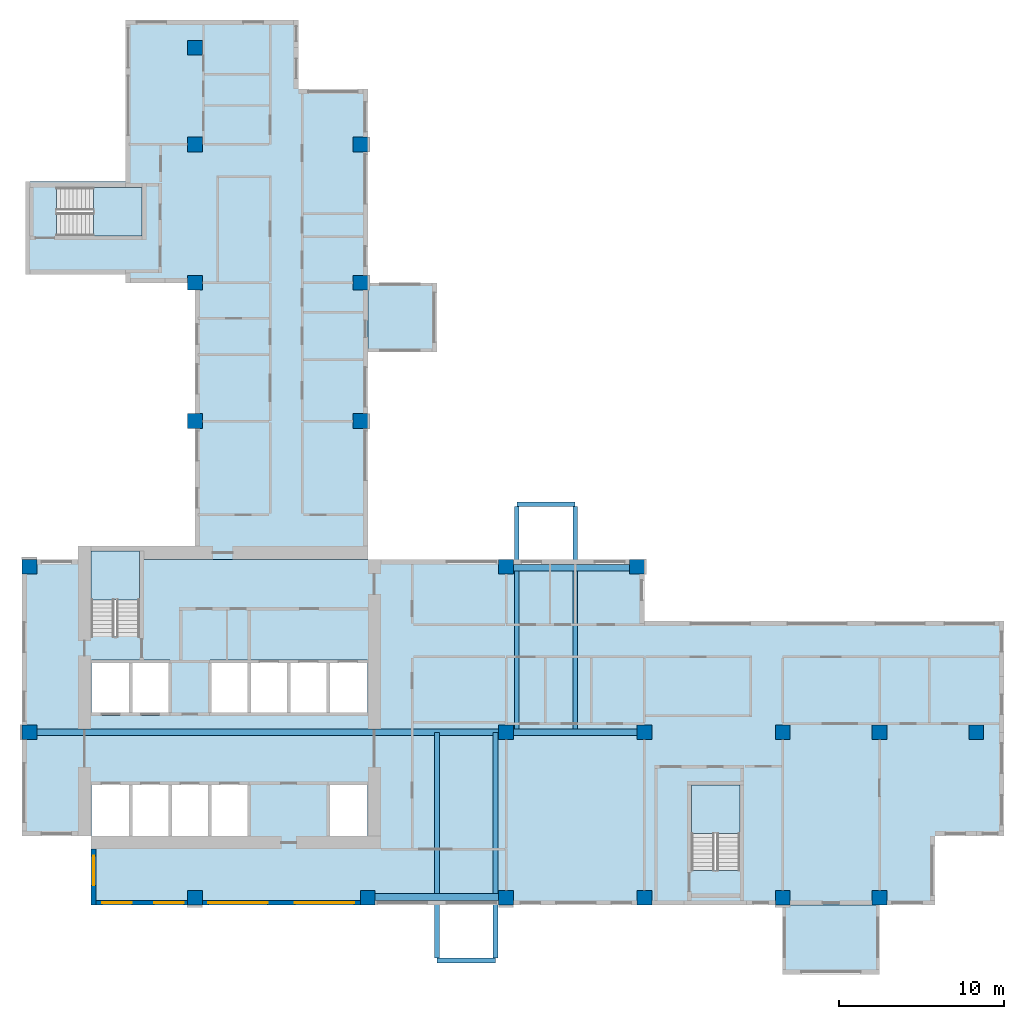
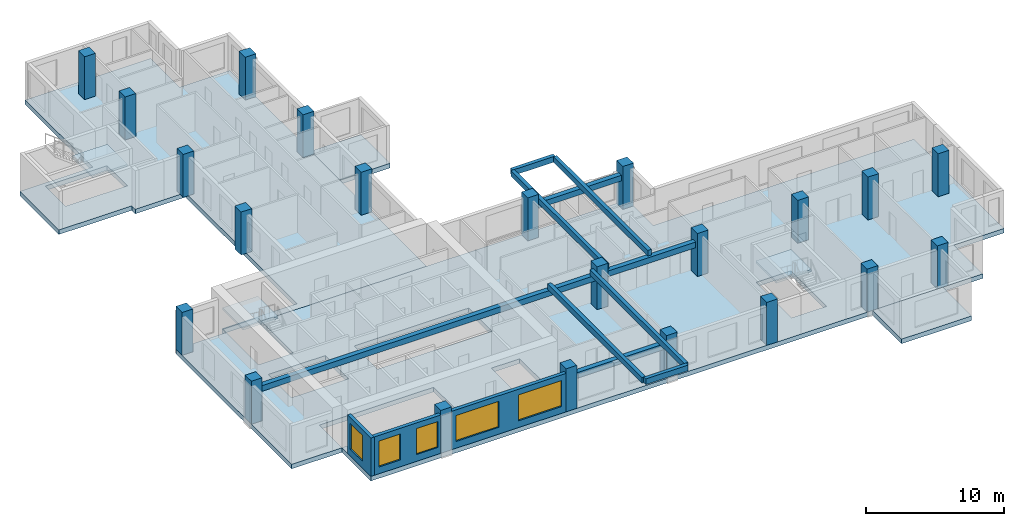
# One storey, part 1 of 12: 22 columns, 10 beams, 7 slabs, 5 windows, 3 walls, 5 openings, 3 elements without a shape of their own.
"""IFC4 building model written with IfcOpenShell, lengths in metres."""

from ifc_helpers import new_model, si_unit, direction, frame, frame_2d, origin, origin_2d, place, context, subcontext, project, spatial, polyline, rectangle, outline, extrude, source, transform, mapped, material, layer, layer_set, material_profile, profile_set, type_object, element, fill, aggregate, save


model = new_model("IFC4")

# Units and contexts
model_context = context("Model", 3, precision=1e-05, world=origin(), true_north=direction((0.0, 1.0)))
body_context = subcontext(model_context, "Body", "Model", "MODEL_VIEW")
ifc_project = project(units=[si_unit("LENGTHUNIT", "METRE"), si_unit("AREAUNIT", "SQUARE_METRE"), si_unit("VOLUMEUNIT", "CUBIC_METRE"), si_unit("PLANEANGLEUNIT", "RADIAN"), si_unit("MASSUNIT", "GRAM", prefix="KILO")], contexts=[model_context])

# Site, building, storey
site_placement = place(None, origin())
site = spatial("IfcSite", under=ifc_project, at=site_placement, CompositionType="ELEMENT")
building_placement = place(site_placement, origin())
building = spatial("IfcBuilding", under=site, at=building_placement, Name="Aurelian Terraces", CompositionType="ELEMENT")
storey_placement = place(building_placement, frame((0.0, 0.0, 189.2)))
storey = spatial("IfcBuildingStorey", under=building, at=storey_placement, Name="L41", CompositionType="ELEMENT", Elevation=189.2)

# Columns
ifc_material_1 = material(Name="Concrete fc' 70 MPa", Category="concrete")
ifc_material_profile_1 = material_profile(ifc_material_1, rectangle(XDim=0.9, YDim=0.9, at=origin_2d()))
ifc_profile_set_1 = profile_set([ifc_material_profile_1], Name="Concrete fc' 70 MPa")
column_type = type_object("IfcColumnType", Name="RC COLUMN 900X900 FC70", PredefinedType="COLUMN", material=ifc_profile_set_1)
shared_shape_1 = source(origin(), body_context, "Body", "SweptSolid", [
    extrude(rectangle(XDim=0.9, YDim=0.9, at=origin_2d()), origin(), (0.0, 0.0, 1.0), 3.8),
])
for number, where, z_axis, x_axis, name in (
    (1, (10.5, 0.45, 0.0), (0.0, 0.0, 1.0), (1.0, 0.0, 0.0), "Column 2/A L41"),
    (2, (21.0, 0.45, 0.0), (0.0, 0.0, 1.0), (1.0, 0.0, 0.0), "Column 3/A L41"),
    (3, (29.4, 0.45, 0.0), (0.0, 0.0, 1.0), (1.0, 0.0, 0.0), "Column 4/A L41"),
    (4, (37.8, 0.45, 0.0), (0.0, 0.0, 1.0), (1.0, 0.0, 0.0), "Column 5/A L41"),
    (5, (46.2, 0.45, 0.0), (0.0, 0.0, 1.0), (1.0, 0.0, 0.0), "Column 6/A L41"),
    (6, (52.08, 0.45, 0.0), (0.0, 0.0, 1.0), (1.0, 0.0, 0.0), "Column 7/A L41"),
    (7, (0.45, 10.5, 0.0), (0.0, 0.0, 1.0), (1.0, 0.0, 0.0), "Column 1/B L41"),
    (8, (29.4, 10.5, 0.0), (0.0, 0.0, 1.0), (1.0, 0.0, 0.0), "Column 4/B L41"),
    (9, (37.8, 10.5, 0.0), (0.0, 0.0, 1.0), (1.0, 0.0, 0.0), "Column 5/B L41"),
    (10, (46.2, 10.5, 0.0), (0.0, 0.0, 1.0), (1.0, 0.0, 0.0), "Column 6/B L41"),
    (11, (52.08, 10.5, 0.0), (0.0, 0.0, 1.0), (1.0, 0.0, 0.0), "Column 7/B L41"),
    (12, (57.96, 10.5, 0.0), (0.0, 0.0, 1.0), (1.0, 0.0, 0.0), "Column 8/B L41"),
    (13, (0.45, 20.55, 0.0), (0.0, 0.0, 1.0), (1.0, 0.0, 0.0), "Column 1/C L41"),
    (14, (29.4, 20.55, 0.0), (0.0, 0.0, 1.0), (1.0, 0.0, 0.0), "Column 4/C L41"),
    (15, (37.35, 20.55, 0.0), (0.0, 0.0, 1.0), (1.0, 0.0, 0.0), "Column 5/C L41"),
    (16, (10.5, 29.4, 0.0), (0.0, 0.0, 1.0), (1.0, 0.0, 0.0), "Column 2/D L41"),
    (17, (20.55, 29.4, 0.0), (0.0, 0.0, 1.0), (1.0, 0.0, 0.0), "Column 3/D L41"),
    (18, (10.5, 37.8, 0.0), (0.0, 0.0, 1.0), (1.0, 0.0, 0.0), "Column 2/E L41"),
    (19, (20.55, 37.8, 0.0), (0.0, 0.0, 1.0), (1.0, 0.0, 0.0), "Column 3/E L41"),
    (20, (10.5, 46.2, 0.0), (0.0, 0.0, 1.0), (1.0, 0.0, 0.0), "Column 2/F L41"),
    (21, (20.55, 46.2, 0.0), (0.0, 0.0, 1.0), (1.0, 0.0, 0.0), "Column 3/F L41"),
    (22, (10.5, 52.08, 0.0), (0.0, 0.0, 1.0), (1.0, 0.0, 0.0), "Column 2/G L41"),
):
    element("IfcColumn", number, at=place(storey_placement, frame(where, z_axis=z_axis, x_axis=x_axis)), inside=storey, type_object=column_type, Name=name, PredefinedType="COLUMN", context=body_context, shape_type="MappedRepresentation", body=[
        mapped(shared_shape_1, transform((0.0, 0.0, 0.0), scale=1.0)),
    ])

# Beams
ifc_material_2 = material(Name="Concrete fc' 40 MPa", Category="concrete")
ifc_material_profile_2 = material_profile(ifc_material_2, rectangle(XDim=0.4, YDim=0.5, at=origin_2d()))
ifc_profile_set_2 = profile_set([ifc_material_profile_2], Name="Concrete fc' 40 MPa")
beam_type_1 = type_object("IfcBeamType", Name="CONCRETE EDGE GIRDER 400X500", PredefinedType="BEAM", material=ifc_profile_set_2)
beam_1_placement = place(storey_placement, frame((29.85, 20.5, 2.65), z_axis=(1.0, 0.0, 0.0), x_axis=(0.0, 1.0, 0.0)))
element("IfcBeam", 23, at=beam_1_placement, inside=storey, type_object=beam_type_1, Name="Box girder L41 O120", PredefinedType="BEAM", context=body_context, shape_type="SweptSolid", body=[
    extrude(rectangle(XDim=0.4, YDim=0.5, at=origin_2d()), origin(), (0.0, 0.0, 1.0), 7.05),
])
ifc_material_profile_3 = material_profile(ifc_material_2, rectangle(XDim=0.3, YDim=0.5, at=origin_2d()))
ifc_profile_set_3 = profile_set([ifc_material_profile_3], Name="Concrete fc' 40 MPa")
beam_type_2 = type_object("IfcBeamType", Name="CONCRETE CANTILEVER BEAM 300X500", PredefinedType="BEAM", material=ifc_profile_set_3)
shared_shape_2 = source(origin(), body_context, "Body", "SweptSolid", [
    extrude(rectangle(XDim=0.3, YDim=0.5, at=origin_2d()), origin(), (0.0, 0.0, 1.0), 13.7),
])
for number, where, z_axis, x_axis, name in (
    (24, (25.2, -3.2, 3.15), (0.0, 1.0, 0.0), (-1.0, 0.0, 0.0), "Box cantilever beam J58.1"),
    (25, (28.75, -3.2, 3.15), (0.0, 1.0, 0.0), (-1.0, 0.0, 0.0), "Box cantilever beam J58.2"),
    (26, (30.05, 24.2, 3.15), (0.0, -1.0, 0.0), (1.0, 0.0, 0.0), "Box cantilever beam J59.1"),
    (27, (33.6, 24.2, 3.15), (0.0, -1.0, 0.0), (1.0, 0.0, 0.0), "Box cantilever beam J59.2"),
):
    element("IfcBeam", number, at=place(storey_placement, frame(where, z_axis=z_axis, x_axis=x_axis)), inside=storey, type_object=beam_type_2, Name=name, PredefinedType="BEAM", context=body_context, shape_type="MappedRepresentation", body=[
        mapped(shared_shape_2, transform((0.0, 0.0, 0.0), scale=1.0)),
    ])
shared_shape_3 = source(origin(), body_context, "Body", "SweptSolid", [
    extrude(rectangle(XDim=0.4, YDim=0.5, at=origin_2d()), origin(), (0.0, 0.0, 1.0), 7.5),
])
for number, where, z_axis, x_axis, name in (
    (28, (21.45, 0.5, 2.65), (1.0, 0.0, 0.0), (0.0, 1.0, 0.0), "Box girder L41 O118"),
    (29, (29.85, 10.5, 2.65), (1.0, 0.0, 0.0), (0.0, 1.0, 0.0), "Box girder L41 I121"),
):
    element("IfcBeam", number, at=place(storey_placement, frame(where, z_axis=z_axis, x_axis=x_axis)), inside=storey, type_object=beam_type_1, Name=name, PredefinedType="BEAM", context=body_context, shape_type="MappedRepresentation", body=[
        mapped(shared_shape_3, transform((0.0, 0.0, 0.0), scale=1.0)),
    ])
shared_shape_4 = source(origin(), body_context, "Body", "SweptSolid", [
    extrude(rectangle(XDim=0.3, YDim=0.5, at=origin_2d()), origin(), (0.0, 0.0, 1.0), 3.55),
])
for number, where, z_axis, x_axis, name in (
    (30, (25.2, -3.35, 3.15), (1.0, 0.0, 0.0), (0.0, 1.0, 0.0), "Box tip beam J58"),
    (31, (30.05, 24.35, 3.15), (1.0, 0.0, 0.0), (0.0, 1.0, 0.0), "Box tip beam J59"),
):
    element("IfcBeam", number, at=place(storey_placement, frame(where, z_axis=z_axis, x_axis=x_axis)), inside=storey, type_object=beam_type_2, Name=name, PredefinedType="BEAM", context=body_context, shape_type="MappedRepresentation", body=[
        mapped(shared_shape_4, transform((0.0, 0.0, 0.0), scale=1.0)),
    ])
shared_shape_5 = source(origin(), body_context, "Body", "SweptSolid", [
    extrude(rectangle(XDim=0.4, YDim=0.5, at=origin_2d()), origin(), (0.0, 0.0, 1.0), 28.05),
])
beam_2_placement = place(storey_placement, frame((0.9, 10.5, 2.65), z_axis=(1.0, 0.0, 0.0), x_axis=(0.0, 1.0, 0.0)))
element("IfcBeam", 32, at=beam_2_placement, inside=storey, type_object=beam_type_1, Name="Box girder L41 I119", PredefinedType="BEAM", context=body_context, shape_type="MappedRepresentation", body=[
    mapped(shared_shape_5, transform((0.0, 0.0, 0.0), scale=1.0)),
])

# Slabs
ifc_layer_1 = layer(ifc_material_2, 0.4)
ifc_layer_set_1 = layer_set([ifc_layer_1], Name="PT FLAT PLATE 400")
slab_type_1 = type_object("IfcSlabType", Name="PT FLAT PLATE 400", PredefinedType="FLOOR", material=ifc_layer_set_1)
shared_shape_6 = source(origin(), body_context, "Body", "SweptSolid", [
    extrude(outline(polyline([(6.3, 43.95), (6.3, 49.56), (6.3, 53.76), (10.5, 53.76), (16.8, 53.76), (16.8, 49.56), (21.0, 49.56), (21.0, 21.0), (7.14, 21.0), (7.14, 21.49), (4.21, 21.49), (4.21, 21.0), (4.2, 21.0), (4.2, 21.6), (6.3, 21.6), (10.5, 21.6), (10.5, 37.8), (6.3, 37.8), (6.3, 38.3), (0.2, 38.3), (0.2, 43.95), (6.3, 43.95)]), holes=[polyline([(7.29, 43.59), (2.11, 43.59), (2.11, 40.66), (7.29, 40.66), (7.29, 43.59)])]), origin(), (0.0, 0.0, 1.0), 0.4),
])
slab_1_placement = place(storey_placement, frame((0.0, 0.0, -0.4)))
element("IfcSlab", 33, at=slab_1_placement, inside=storey, type_object=slab_type_1, Name="Floor slab W L41", PredefinedType="FLOOR", context=body_context, shape_type="MappedRepresentation", body=[
    mapped(shared_shape_6, transform((0.0, 0.0, 0.0), scale=1.0)),
])
shared_shape_7 = source(origin(), body_context, "Body", "SweptSolid", [
    extrude(outline(polyline([(59.64, 4.2), (55.44, 4.2), (55.44, 0.0), (21.0, 0.0), (4.2, 0.0), (4.2, 4.2), (0.0, 4.2), (0.0, 21.0), (4.21, 21.0), (4.21, 16.31), (7.14, 16.31), (7.14, 21.0), (21.0, 21.0), (37.8, 21.0), (37.8, 17.25), (55.44, 17.25), (59.64, 17.25), (59.64, 16.8), (59.64, 16.65), (59.64, 4.2)]), holes=[polyline([(40.66, 2.11), (43.59, 2.11), (43.59, 7.29), (40.66, 7.29), (40.66, 2.11)]), polyline([(18.61, 7.49), (18.61, 4.21), (20.99, 4.21), (20.99, 7.49), (18.61, 7.49)]), polyline([(20.99, 14.89), (11.41, 14.89), (11.41, 11.51), (20.99, 11.51), (20.99, 14.89)]), polyline([(4.21, 7.49), (4.21, 4.21), (13.79, 4.21), (13.79, 7.49), (4.21, 7.49)]), polyline([(4.21, 14.89), (4.21, 11.51), (8.99, 11.51), (8.99, 14.89), (4.21, 14.89)])]), origin(), (0.0, 0.0, 1.0), 0.4),
])
slab_2_placement = place(storey_placement, frame((0.0, 0.0, -0.4)))
element("IfcSlab", 34, at=slab_2_placement, inside=storey, type_object=slab_type_1, Name="Floor slab S L41", PredefinedType="FLOOR", context=body_context, shape_type="MappedRepresentation", body=[
    mapped(shared_shape_7, transform((0.0, 0.0, 0.0), scale=1.0)),
])
ifc_layer_2 = layer(ifc_material_2, 0.41)
ifc_layer_set_2 = layer_set([ifc_layer_2], Name="Box floor 410")
slab_type_2 = type_object("IfcSlabType", Name="Box floor 410", PredefinedType="NOTDEFINED", material=ifc_layer_set_2)
shared_shape_8 = source(origin(), body_context, "Body", "SweptSolid", [
    extrude(outline(polyline([(46.2, -4.2), (52.08, -4.2), (52.08, 0.0), (46.2, 0.0), (46.2, -4.2)])), origin(), (0.0, 0.0, 1.0), 0.41),
])
slab_3_placement = place(storey_placement, frame((0.0, 0.0, -0.41)))
element("IfcSlab", 35, at=slab_3_placement, inside=storey, type_object=slab_type_2, Name="Box floor L41 J56", PredefinedType="NOTDEFINED", context=body_context, shape_type="MappedRepresentation", body=[
    mapped(shared_shape_8, transform((0.0, 0.0, 0.0), scale=1.0)),
])
shared_shape_9 = source(origin(), body_context, "Body", "SweptSolid", [
    extrude(outline(polyline([(25.2, 33.6), (25.2, 37.8), (21.0, 37.8), (21.0, 33.6), (25.2, 33.6)])), origin(), (0.0, 0.0, 1.0), 0.41),
])
slab_4_placement = place(storey_placement, frame((0.0, 0.0, -0.41)))
element("IfcSlab", 36, at=slab_4_placement, inside=storey, type_object=slab_type_2, Name="Box floor L41 J57", PredefinedType="NOTDEFINED", context=body_context, shape_type="MappedRepresentation", body=[
    mapped(shared_shape_9, transform((0.0, 0.0, 0.0), scale=1.0)),
])

# Stair, slab
stair_type = type_object("IfcStairType", Name="Stair 1400", PredefinedType="HALF_TURN_STAIR", material=ifc_material_2)
stair_1_placement = place(storey_placement, origin())
stair_1 = element("IfcStair", 37, at=stair_1_placement, inside=storey, type_object=stair_type, Name="L41 S1", PredefinedType="HALF_TURN_STAIR")
ifc_layer_3 = layer(ifc_material_2, 0.2)
ifc_layer_set_3 = layer_set([ifc_layer_3], Name="Stair landing 200")
slab_type_3 = type_object("IfcSlabType", Name="Stair landing 200", PredefinedType="LANDING", material=ifc_layer_set_3)
shared_shape_10 = source(origin(), body_context, "Body", "SweptSolid", [
    extrude(outline(polyline([(7.15, 18.55), (7.15, 21.5), (4.2, 21.5), (4.2, 18.55), (7.15, 18.55)])), origin(), (0.0, 0.0, 1.0), 0.2),
])
slab_5_placement = place(storey_placement, frame((0.0, 0.0, 1.7)))
slab_5 = element("IfcSlab", 38, at=slab_5_placement, type_object=slab_type_3, Name="S1 landing 1", PredefinedType="LANDING", context=body_context, shape_type="MappedRepresentation", body=[
    mapped(shared_shape_10, transform((0.0, 0.0, 0.0), scale=1.0)),
])
aggregate(stair_1, [slab_5])

stair_2_placement = place(storey_placement, origin())
stair_2 = element("IfcStair", 39, at=stair_2_placement, inside=storey, type_object=stair_type, Name="L41 S2", PredefinedType="HALF_TURN_STAIR")
shared_shape_11 = source(origin(), body_context, "Body", "SweptSolid", [
    extrude(outline(polyline([(43.6, 4.35), (43.6, 7.3), (40.65, 7.3), (40.65, 4.35), (43.6, 4.35)])), origin(), (0.0, 0.0, 1.0), 0.2),
])
slab_6_placement = place(storey_placement, frame((0.0, 0.0, 1.7)))
slab_6 = element("IfcSlab", 40, at=slab_6_placement, type_object=slab_type_3, Name="S2 landing 1", PredefinedType="LANDING", context=body_context, shape_type="MappedRepresentation", body=[
    mapped(shared_shape_11, transform((0.0, 0.0, 0.0), scale=1.0)),
])
aggregate(stair_2, [slab_6])

stair_3_placement = place(storey_placement, origin())
stair_3 = element("IfcStair", 41, at=stair_3_placement, inside=storey, type_object=stair_type, Name="L41 S3", PredefinedType="HALF_TURN_STAIR")
shared_shape_12 = source(origin(), body_context, "Body", "SweptSolid", [
    extrude(outline(polyline([(4.35, 40.65), (7.3, 40.65), (7.3, 43.6), (4.35, 43.6), (4.35, 40.65)])), origin(), (0.0, 0.0, 1.0), 0.2),
])
slab_7_placement = place(storey_placement, frame((0.0, 0.0, 1.7)))
slab_7 = element("IfcSlab", 42, at=slab_7_placement, type_object=slab_type_3, Name="S3 landing 1", PredefinedType="LANDING", context=body_context, shape_type="MappedRepresentation", body=[
    mapped(shared_shape_12, transform((0.0, 0.0, 0.0), scale=1.0)),
])
aggregate(stair_3, [slab_7])

# Wall, opening, window
ifc_material_3 = material(Name="Terracotta rainscreen cladding", Category="masonry")
ifc_layer_4 = layer(ifc_material_3, 0.3)
ifc_layer_set_4 = layer_set([ifc_layer_4], Name="EW-300")
wall_type = type_object("IfcWallType", Name="EW-300", PredefinedType="STANDARD", material=ifc_layer_set_4)
shared_shape_13 = source(origin(), body_context, "Body", "SweptSolid", [
    extrude(rectangle(XDim=3.4, YDim=0.3, at=frame_2d((1.7, 0.0))), origin(), (0.0, 0.0, 1.0), 3.4),
])
wall_1_placement = place(storey_placement, frame((4.35, 3.4, 0.0), z_axis=(0.0, 0.0, 1.0), x_axis=(0.0, -1.0, 0.0)))
wall_1 = element("IfcWall", 43, at=wall_1_placement, inside=storey, type_object=wall_type, Name="External wall L41 F24.38", PredefinedType="STANDARD", context=body_context, shape_type="MappedRepresentation", body=[
    mapped(shared_shape_13, transform((0.0, 0.0, 0.0), scale=1.0)),
])
shared_shape_14 = source(origin(), body_context, "Body", "SweptSolid", [
    extrude(rectangle(XDim=1.8, YDim=2.3, at=frame_2d((0.9, 1.15))), frame((0.0, 0.16, 0.0), z_axis=(0.0, -1.0, 0.0), x_axis=(1.0, 0.0, 0.0)), (0.0, 0.0, 1.0), 0.32),
])
opening_1_placement = place(wall_1_placement, frame((0.4, 0.0, 0.6)))
opening_1 = element("IfcOpeningElement", 44, at=opening_1_placement, cuts=wall_1, Name="Opening W1823", PredefinedType="OPENING", context=body_context, shape_type="MappedRepresentation", body=[
    mapped(shared_shape_14, transform((0.0, 0.0, 0.0), scale=1.0)),
])
ifc_material_4 = material(Name="Clear glazing", Category="glass")
window_type_1 = type_object("IfcWindowType", Name="W-1800x2300", PartitioningType="SINGLE_PANEL", PredefinedType="WINDOW", material=ifc_material_4)
shared_shape_15 = source(origin(), body_context, "Body", "SweptSolid", [
    extrude(rectangle(XDim=1.8, YDim=2.3, at=frame_2d((0.9, 1.15))), frame((0.0, 0.03, 0.0), z_axis=(0.0, -1.0, 0.0), x_axis=(1.0, 0.0, 0.0)), (0.0, 0.0, 1.0), 0.06),
])
window_1_placement = place(opening_1_placement, origin())
window_1 = element("IfcWindow", 45, at=window_1_placement, inside=storey, type_object=window_type_1, Name="Window L41 L41-F24-38-0", OverallHeight=2.3, OverallWidth=1.8, PartitioningType="SINGLE_PANEL", PredefinedType="WINDOW", context=body_context, shape_type="MappedRepresentation", body=[
    mapped(shared_shape_15, transform((0.0, 0.0, 0.0), scale=1.0)),
])
fill(opening_1, window_1)

# Wall, openings, windows
shared_shape_16 = source(origin(), body_context, "Body", "SweptSolid", [
    extrude(rectangle(XDim=5.85, YDim=0.3, at=frame_2d((2.925, 0.0))), origin(), (0.0, 0.0, 1.0), 3.4),
])
wall_2_placement = place(storey_placement, frame((4.2, 0.15, 0.0), z_axis=(0.0, 0.0, 1.0), x_axis=(1.0, 0.0, 0.0)))
wall_2 = element("IfcWall", 46, at=wall_2_placement, inside=storey, type_object=wall_type, Name="External wall L41 F01.1", PredefinedType="STANDARD", context=body_context, shape_type="MappedRepresentation", body=[
    mapped(shared_shape_16, transform((0.0, 0.0, 0.0), scale=1.0)),
])
opening_2_placement = place(wall_2_placement, frame((0.675, 0.0, 0.6)))
opening_2 = element("IfcOpeningElement", 47, at=opening_2_placement, cuts=wall_2, Name="Opening W1823", PredefinedType="OPENING", context=body_context, shape_type="MappedRepresentation", body=[
    mapped(shared_shape_14, transform((0.0, 0.0, 0.0), scale=1.0)),
])
opening_3_placement = place(wall_2_placement, frame((3.825, 0.0, 0.6)))
opening_3 = element("IfcOpeningElement", 48, at=opening_3_placement, cuts=wall_2, Name="Opening W1823", PredefinedType="OPENING", context=body_context, shape_type="MappedRepresentation", body=[
    mapped(shared_shape_14, transform((0.0, 0.0, 0.0), scale=1.0)),
])
window_2_placement = place(opening_2_placement, origin())
window_2 = element("IfcWindow", 49, at=window_2_placement, inside=storey, type_object=window_type_1, Name="Window L41 L41-F01-01-0", OverallHeight=2.3, OverallWidth=1.8, PartitioningType="SINGLE_PANEL", PredefinedType="WINDOW", context=body_context, shape_type="MappedRepresentation", body=[
    mapped(shared_shape_15, transform((0.0, 0.0, 0.0), scale=1.0)),
])
fill(opening_2, window_2)
window_3_placement = place(opening_3_placement, origin())
window_3 = element("IfcWindow", 50, at=window_3_placement, inside=storey, type_object=window_type_1, Name="Window L41 L41-F01-01-1", OverallHeight=2.3, OverallWidth=1.8, PartitioningType="SINGLE_PANEL", PredefinedType="WINDOW", context=body_context, shape_type="MappedRepresentation", body=[
    mapped(shared_shape_15, transform((0.0, 0.0, 0.0), scale=1.0)),
])
fill(opening_3, window_3)

shared_shape_17 = source(origin(), body_context, "Body", "SweptSolid", [
    extrude(rectangle(XDim=9.6, YDim=0.3, at=frame_2d((4.8, 0.0))), origin(), (0.0, 0.0, 1.0), 3.4),
])
wall_3_placement = place(storey_placement, frame((10.95, 0.15, 0.0), z_axis=(0.0, 0.0, 1.0), x_axis=(1.0, 0.0, 0.0)))
wall_3 = element("IfcWall", 51, at=wall_3_placement, inside=storey, type_object=wall_type, Name="External wall L41 F01.2", PredefinedType="STANDARD", context=body_context, shape_type="MappedRepresentation", body=[
    mapped(shared_shape_17, transform((0.0, 0.0, 0.0), scale=1.0)),
])
shared_shape_18 = source(origin(), body_context, "Body", "SweptSolid", [
    extrude(rectangle(XDim=3.6, YDim=2.3, at=frame_2d((1.8, 1.15))), frame((0.0, 0.16, 0.0), z_axis=(0.0, -1.0, 0.0), x_axis=(1.0, 0.0, 0.0)), (0.0, 0.0, 1.0), 0.32),
])
opening_4_placement = place(wall_3_placement, frame((0.375, 0.0, 0.6)))
opening_4 = element("IfcOpeningElement", 52, at=opening_4_placement, cuts=wall_3, Name="Opening W3623", PredefinedType="OPENING", context=body_context, shape_type="MappedRepresentation", body=[
    mapped(shared_shape_18, transform((0.0, 0.0, 0.0), scale=1.0)),
])
opening_5_placement = place(wall_3_placement, frame((5.625, 0.0, 0.6)))
opening_5 = element("IfcOpeningElement", 53, at=opening_5_placement, cuts=wall_3, Name="Opening W3623", PredefinedType="OPENING", context=body_context, shape_type="MappedRepresentation", body=[
    mapped(shared_shape_18, transform((0.0, 0.0, 0.0), scale=1.0)),
])
window_type_2 = type_object("IfcWindowType", Name="W-3600x2300", PartitioningType="SINGLE_PANEL", PredefinedType="WINDOW", material=ifc_material_4)
shared_shape_19 = source(origin(), body_context, "Body", "SweptSolid", [
    extrude(rectangle(XDim=3.6, YDim=2.3, at=frame_2d((1.8, 1.15))), frame((0.0, 0.03, 0.0), z_axis=(0.0, -1.0, 0.0), x_axis=(1.0, 0.0, 0.0)), (0.0, 0.0, 1.0), 0.06),
])
window_4_placement = place(opening_4_placement, origin())
window_4 = element("IfcWindow", 54, at=window_4_placement, inside=storey, type_object=window_type_2, Name="Window L41 L41-F01-02-0", OverallHeight=2.3, OverallWidth=3.6, PartitioningType="SINGLE_PANEL", PredefinedType="WINDOW", context=body_context, shape_type="MappedRepresentation", body=[
    mapped(shared_shape_19, transform((0.0, 0.0, 0.0), scale=1.0)),
])
fill(opening_4, window_4)
window_5_placement = place(opening_5_placement, origin())
window_5 = element("IfcWindow", 55, at=window_5_placement, inside=storey, type_object=window_type_2, Name="Window L41 L41-F01-02-1", OverallHeight=2.3, OverallWidth=3.6, PartitioningType="SINGLE_PANEL", PredefinedType="WINDOW", context=body_context, shape_type="MappedRepresentation", body=[
    mapped(shared_shape_19, transform((0.0, 0.0, 0.0), scale=1.0)),
])
fill(opening_5, window_5)

save(model, "model.ifc")
